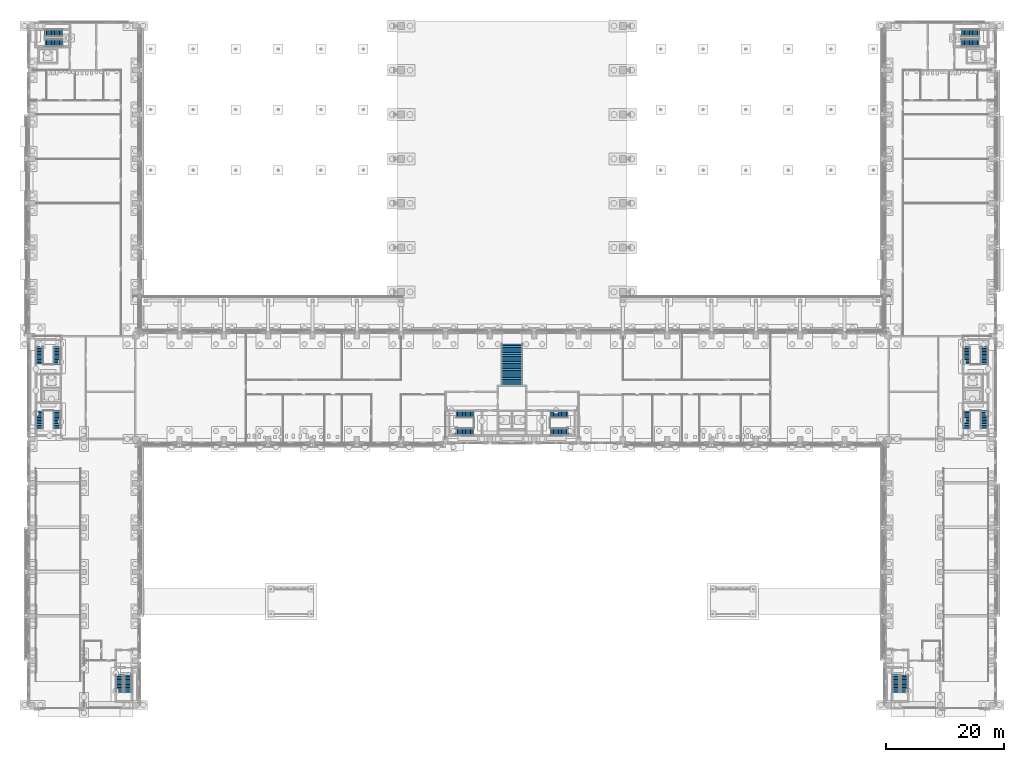
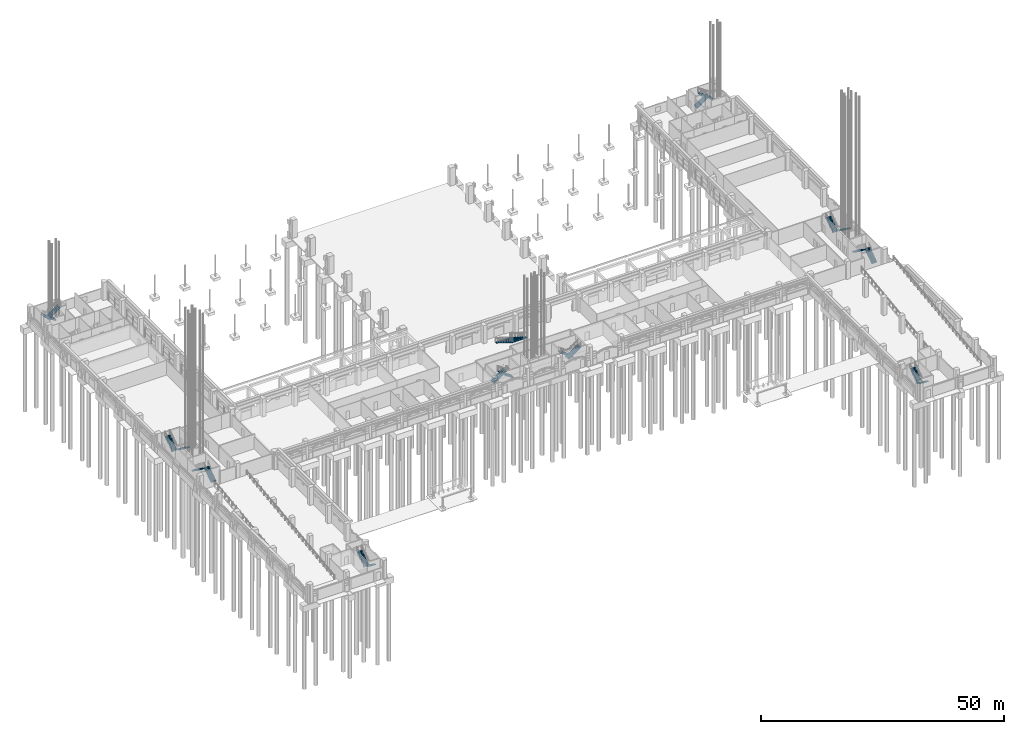
# One storey, part 46 of 99: 21 stair flights, 11 elements without a shape of their own.
"""IFC4 building model written with IfcOpenShell, lengths in metres."""

from ifc_helpers import new_model, si_unit, direction, frame, origin, place, context, subcontext, project, spatial, polyline, outline, extrude, material, type_object, element, aggregate, save


model = new_model("IFC4")

# Units and contexts
model_context = context("Model", 3, precision=1e-05, world=origin(), true_north=direction((0.0, 1.0)))
body_context = subcontext(model_context, "Body", "Model", "MODEL_VIEW")
ifc_project = project(units=[si_unit("LENGTHUNIT", "METRE"), si_unit("AREAUNIT", "SQUARE_METRE"), si_unit("VOLUMEUNIT", "CUBIC_METRE"), si_unit("PLANEANGLEUNIT", "RADIAN"), si_unit("MASSUNIT", "GRAM", prefix="KILO")], contexts=[model_context])

# Site, building, storey
site_placement = place(None, origin())
site = spatial("IfcSite", under=ifc_project, at=site_placement, CompositionType="ELEMENT")
building_placement = place(site_placement, origin())
building = spatial("IfcBuilding", under=site, at=building_placement, Name="Cour d'Honneur Mobility Palace", CompositionType="ELEMENT")
storey_placement = place(building_placement, origin())
storey = spatial("IfcBuildingStorey", under=building, at=storey_placement, Name="L00", CompositionType="ELEMENT", Elevation=0.0)

# Stair, stair flight
ifc_material_1 = material(Name="Concrete C50", Category="concrete")
stair_type_1 = type_object("IfcStairType", Name="Grand stair", PredefinedType="STRAIGHT_RUN_STAIR", material=ifc_material_1)
stair_1_placement = place(storey_placement, origin())
stair_1 = element("IfcStair", 1, at=stair_1_placement, inside=storey, type_object=stair_type_1, Name="Grand stair", PredefinedType="STRAIGHT_RUN_STAIR")
ifc_material_2 = material(Name="Concrete C50", Category="concrete")
stair_flight_type_1 = type_object("IfcStairFlightType", Name="Grand stair flight", PredefinedType="STRAIGHT", material=ifc_material_2)
stair_flight_1_placement = place(storey_placement, frame((81.14990234375, 61.10009765625, 0.0), z_axis=(0.0, 0.0, 1.0), x_axis=(0.0, -1.0, 0.0)))
stair_flight_1 = element("IfcStairFlight", 2, at=stair_flight_1_placement, type_object=stair_flight_type_1, Name="ST-GS flight 1", NumberOfRisers=24, NumberOfTreads=23, PredefinedType="STRAIGHT", RiserHeight=0.1875, TreadLength=0.3, context=body_context, shape_type="SweptSolid", body=[
    extrude(outline(polyline([(0.0, 0.0), (0.0, 0.1875), (0.300048828125, 0.1875), (0.300048828125, 0.375), (0.60009765625, 0.375), (0.60009765625, 0.5625), (0.89990234375, 0.5625), (0.89990234375, 0.75), (1.199951171875, 0.75), (1.199951171875, 0.9375), (1.5, 0.9375), (1.5, 1.125), (1.800048828125, 1.125), (1.800048828125, 1.3125), (2.10009765625, 1.3125), (2.10009765625, 1.5), (2.39990234375, 1.5), (2.39990234375, 1.6875), (2.699951171875, 1.6875), (2.699951171875, 1.875), (3.0, 1.875), (3.0, 2.0625), (3.300048828125, 2.0625), (3.300048828125, 2.25), (3.60009765625, 2.25), (3.60009765625, 2.4375), (3.89990234375, 2.4375), (3.89990234375, 2.625), (4.199951171875, 2.625), (4.199951171875, 2.8125), (4.5, 2.8125), (4.5, 3.0), (4.800048828125, 3.0), (4.800048828125, 3.1875), (5.10009765625, 3.1875), (5.10009765625, 3.375), (5.39990234375, 3.375), (5.39990234375, 3.5625), (5.699951171875, 3.5625), (5.699951171875, 3.75), (6.0, 3.75), (6.0, 3.9375), (6.300048828125, 3.9375), (6.300048828125, 4.125), (6.60009765625, 4.125), (6.60009765625, 4.3125), (6.89990234375, 4.3125), (6.949951171875, 4.3125), (6.949951171875, 4.1357421875), (0.28271484375, 0.0), (0.0, 0.0)])), frame((0.0, 1.800048828125, 0.0), z_axis=(0.0, -1.0, 0.0), x_axis=(1.0, 0.0, 0.0)), (0.0, 0.0, 1.0), 3.60009765625),
])
aggregate(stair_1, [stair_flight_1])

# Stair, stair flights
ifc_material_3 = material(Name="Concrete C50", Category="concrete")
stair_type_2 = type_object("IfcStairType", Name="Stair 24 risers", PredefinedType="HALF_TURN_STAIR", material=ifc_material_3)
stair_2_placement = place(storey_placement, origin())
stair_2 = element("IfcStair", 3, at=stair_2_placement, inside=storey, type_object=stair_type_2, Name="Stair ST-CW1", PredefinedType="HALF_TURN_STAIR")
ifc_material_4 = material(Name="Concrete C50", Category="concrete")
stair_flight_type_2 = type_object("IfcStairFlightType", Name="Stair flight 1250", PredefinedType="STRAIGHT", material=ifc_material_4)
stair_flight_2_placement = place(storey_placement, frame((4.175048828125, 46.77490234375, 0.0), z_axis=(0.0, 0.0, 1.0), x_axis=(0.0, 1.0, 0.0)))
stair_flight_2 = element("IfcStairFlight", 4, at=stair_flight_2_placement, type_object=stair_flight_type_2, Name="ST-CW1 flight 1", NumberOfRisers=12, NumberOfTreads=11, PredefinedType="STRAIGHT", RiserHeight=0.1875, TreadLength=0.27, context=body_context, shape_type="SweptSolid", body=[
    extrude(outline(polyline([(0.0, 0.0), (0.0, 0.1875), (0.27001953125, 0.1875), (0.27001953125, 0.375), (0.5400390625, 0.375), (0.5400390625, 0.5625), (0.81005859375, 0.5625), (0.81005859375, 0.75), (1.080078125, 0.75), (1.080078125, 0.9375), (1.35009765625, 0.9375), (1.35009765625, 1.125), (1.6201171875, 1.125), (1.6201171875, 1.3125), (1.889892578125, 1.3125), (1.889892578125, 1.5), (2.159912109375, 1.5), (2.159912109375, 1.6875), (2.429931640625, 1.6875), (2.429931640625, 1.875), (2.699951171875, 1.875), (2.699951171875, 2.0625), (2.969970703125, 2.0625), (3.02001953125, 2.0625), (3.02001953125, 1.8798828125), (0.2626953125, 0.0), (0.0, 0.0)])), frame((0.0, 0.625, 0.0), z_axis=(0.0, -1.0, 0.0), x_axis=(1.0, 0.0, 0.0)), (0.0, 0.0, 1.0), 1.25),
])
stair_flight_3_placement = place(storey_placement, frame((1.199951171875, 49.7451171875, 2.25), z_axis=(0.0, 0.0, 1.0), x_axis=(0.0, -1.0, 0.0)))
stair_flight_3 = element("IfcStairFlight", 5, at=stair_flight_3_placement, type_object=stair_flight_type_2, Name="ST-CW1 flight 2", NumberOfRisers=12, NumberOfTreads=11, PredefinedType="STRAIGHT", RiserHeight=0.1875, TreadLength=0.27, context=body_context, shape_type="SweptSolid", body=[
    extrude(outline(polyline([(0.0, 0.0), (0.0, 0.1875), (0.27001953125, 0.1875), (0.27001953125, 0.375), (0.5400390625, 0.375), (0.5400390625, 0.5625), (0.81005859375, 0.5625), (0.81005859375, 0.75), (1.080078125, 0.75), (1.080078125, 0.9375), (1.35009765625, 0.9375), (1.35009765625, 1.125), (1.6201171875, 1.125), (1.6201171875, 1.3125), (1.889892578125, 1.3125), (1.889892578125, 1.5), (2.159912109375, 1.5), (2.159912109375, 1.6875), (2.429931640625, 1.6875), (2.429931640625, 1.875), (2.699951171875, 1.875), (2.699951171875, 2.0625), (2.969970703125, 2.0625), (3.02001953125, 2.0625), (3.02001953125, 1.8798828125), (0.2626953125, 0.0), (0.0, 0.0)])), frame((0.0, 0.625, 0.0), z_axis=(0.0, -1.0, 0.0), x_axis=(1.0, 0.0, 0.0)), (0.0, 0.0, 1.0), 1.25),
])
aggregate(stair_2, [stair_flight_2, stair_flight_3])

stair_3_placement = place(storey_placement, origin())
stair_3 = element("IfcStair", 6, at=stair_3_placement, inside=storey, type_object=stair_type_2, Name="Stair ST-CW2", PredefinedType="HALF_TURN_STAIR")
stair_flight_4_placement = place(storey_placement, frame((4.175048828125, 60.625, 0.0), z_axis=(0.0, 0.0, 1.0), x_axis=(0.0, -1.0, 0.0)))
stair_flight_4 = element("IfcStairFlight", 7, at=stair_flight_4_placement, type_object=stair_flight_type_2, Name="ST-CW2 flight 1", NumberOfRisers=12, NumberOfTreads=11, PredefinedType="STRAIGHT", RiserHeight=0.1875, TreadLength=0.27, context=body_context, shape_type="SweptSolid", body=[
    extrude(outline(polyline([(0.0, 0.0), (0.0, 0.1875), (0.27001953125, 0.1875), (0.27001953125, 0.375), (0.5400390625, 0.375), (0.5400390625, 0.5625), (0.81005859375, 0.5625), (0.81005859375, 0.75), (1.080078125, 0.75), (1.080078125, 0.9375), (1.35009765625, 0.9375), (1.35009765625, 1.125), (1.6201171875, 1.125), (1.6201171875, 1.3125), (1.889892578125, 1.3125), (1.889892578125, 1.5), (2.159912109375, 1.5), (2.159912109375, 1.6875), (2.429931640625, 1.6875), (2.429931640625, 1.875), (2.699951171875, 1.875), (2.699951171875, 2.0625), (2.969970703125, 2.0625), (3.02001953125, 2.0625), (3.02001953125, 1.8798828125), (0.2626953125, 0.0), (0.0, 0.0)])), frame((0.0, 0.625, 0.0), z_axis=(0.0, -1.0, 0.0), x_axis=(1.0, 0.0, 0.0)), (0.0, 0.0, 1.0), 1.25),
])
stair_flight_5_placement = place(storey_placement, frame((1.199951171875, 57.655029296875, 2.25), z_axis=(0.0, 0.0, 1.0), x_axis=(0.0, 1.0, 0.0)))
stair_flight_5 = element("IfcStairFlight", 8, at=stair_flight_5_placement, type_object=stair_flight_type_2, Name="ST-CW2 flight 2", NumberOfRisers=12, NumberOfTreads=11, PredefinedType="STRAIGHT", RiserHeight=0.1875, TreadLength=0.27, context=body_context, shape_type="SweptSolid", body=[
    extrude(outline(polyline([(0.0, 0.0), (0.0, 0.1875), (0.27001953125, 0.1875), (0.27001953125, 0.375), (0.5400390625, 0.375), (0.5400390625, 0.5625), (0.81005859375, 0.5625), (0.81005859375, 0.75), (1.080078125, 0.75), (1.080078125, 0.9375), (1.35009765625, 0.9375), (1.35009765625, 1.125), (1.6201171875, 1.125), (1.6201171875, 1.3125), (1.889892578125, 1.3125), (1.889892578125, 1.5), (2.159912109375, 1.5), (2.159912109375, 1.6875), (2.429931640625, 1.6875), (2.429931640625, 1.875), (2.699951171875, 1.875), (2.699951171875, 2.0625), (2.969970703125, 2.0625), (3.02001953125, 2.0625), (3.02001953125, 1.8798828125), (0.2626953125, 0.0), (0.0, 0.0)])), frame((0.0, 0.625, 0.0), z_axis=(0.0, -1.0, 0.0), x_axis=(1.0, 0.0, 0.0)), (0.0, 0.0, 1.0), 1.25),
])
aggregate(stair_3, [stair_flight_4, stair_flight_5])

stair_4_placement = place(storey_placement, origin())
stair_4 = element("IfcStair", 9, at=stair_4_placement, inside=storey, type_object=stair_type_2, Name="Stair ST-CE1", PredefinedType="HALF_TURN_STAIR")
stair_flight_6_placement = place(storey_placement, frame((161.10009765625, 46.77490234375, 0.0), z_axis=(0.0, 0.0, 1.0), x_axis=(0.0, 1.0, 0.0)))
stair_flight_6 = element("IfcStairFlight", 10, at=stair_flight_6_placement, type_object=stair_flight_type_2, Name="ST-CE1 flight 1", NumberOfRisers=12, NumberOfTreads=11, PredefinedType="STRAIGHT", RiserHeight=0.1875, TreadLength=0.27, context=body_context, shape_type="SweptSolid", body=[
    extrude(outline(polyline([(0.0, 0.0), (0.0, 0.1875), (0.27001953125, 0.1875), (0.27001953125, 0.375), (0.5400390625, 0.375), (0.5400390625, 0.5625), (0.81005859375, 0.5625), (0.81005859375, 0.75), (1.080078125, 0.75), (1.080078125, 0.9375), (1.35009765625, 0.9375), (1.35009765625, 1.125), (1.6201171875, 1.125), (1.6201171875, 1.3125), (1.889892578125, 1.3125), (1.889892578125, 1.5), (2.159912109375, 1.5), (2.159912109375, 1.6875), (2.429931640625, 1.6875), (2.429931640625, 1.875), (2.699951171875, 1.875), (2.699951171875, 2.0625), (2.969970703125, 2.0625), (3.02001953125, 2.0625), (3.02001953125, 1.8798828125), (0.2626953125, 0.0), (0.0, 0.0)])), frame((0.0, 0.625, 0.0), z_axis=(0.0, -1.0, 0.0), x_axis=(1.0, 0.0, 0.0)), (0.0, 0.0, 1.0), 1.25),
])
stair_flight_7_placement = place(storey_placement, frame((158.125, 49.7451171875, 2.25), z_axis=(0.0, 0.0, 1.0), x_axis=(0.0, -1.0, 0.0)))
stair_flight_7 = element("IfcStairFlight", 11, at=stair_flight_7_placement, type_object=stair_flight_type_2, Name="ST-CE1 flight 2", NumberOfRisers=12, NumberOfTreads=11, PredefinedType="STRAIGHT", RiserHeight=0.1875, TreadLength=0.27, context=body_context, shape_type="SweptSolid", body=[
    extrude(outline(polyline([(0.0, 0.0), (0.0, 0.1875), (0.27001953125, 0.1875), (0.27001953125, 0.375), (0.5400390625, 0.375), (0.5400390625, 0.5625), (0.81005859375, 0.5625), (0.81005859375, 0.75), (1.080078125, 0.75), (1.080078125, 0.9375), (1.35009765625, 0.9375), (1.35009765625, 1.125), (1.6201171875, 1.125), (1.6201171875, 1.3125), (1.889892578125, 1.3125), (1.889892578125, 1.5), (2.159912109375, 1.5), (2.159912109375, 1.6875), (2.429931640625, 1.6875), (2.429931640625, 1.875), (2.699951171875, 1.875), (2.699951171875, 2.0625), (2.969970703125, 2.0625), (3.02001953125, 2.0625), (3.02001953125, 1.8798828125), (0.2626953125, 0.0), (0.0, 0.0)])), frame((0.0, 0.625, 0.0), z_axis=(0.0, -1.0, 0.0), x_axis=(1.0, 0.0, 0.0)), (0.0, 0.0, 1.0), 1.25),
])
aggregate(stair_4, [stair_flight_6, stair_flight_7])

stair_5_placement = place(storey_placement, origin())
stair_5 = element("IfcStair", 12, at=stair_5_placement, inside=storey, type_object=stair_type_2, Name="Stair ST-CE2", PredefinedType="HALF_TURN_STAIR")
stair_flight_8_placement = place(storey_placement, frame((161.10009765625, 60.625, 0.0), z_axis=(0.0, 0.0, 1.0), x_axis=(0.0, -1.0, 0.0)))
stair_flight_8 = element("IfcStairFlight", 13, at=stair_flight_8_placement, type_object=stair_flight_type_2, Name="ST-CE2 flight 1", NumberOfRisers=12, NumberOfTreads=11, PredefinedType="STRAIGHT", RiserHeight=0.1875, TreadLength=0.27, context=body_context, shape_type="SweptSolid", body=[
    extrude(outline(polyline([(0.0, 0.0), (0.0, 0.1875), (0.27001953125, 0.1875), (0.27001953125, 0.375), (0.5400390625, 0.375), (0.5400390625, 0.5625), (0.81005859375, 0.5625), (0.81005859375, 0.75), (1.080078125, 0.75), (1.080078125, 0.9375), (1.35009765625, 0.9375), (1.35009765625, 1.125), (1.6201171875, 1.125), (1.6201171875, 1.3125), (1.889892578125, 1.3125), (1.889892578125, 1.5), (2.159912109375, 1.5), (2.159912109375, 1.6875), (2.429931640625, 1.6875), (2.429931640625, 1.875), (2.699951171875, 1.875), (2.699951171875, 2.0625), (2.969970703125, 2.0625), (3.02001953125, 2.0625), (3.02001953125, 1.8798828125), (0.2626953125, 0.0), (0.0, 0.0)])), frame((0.0, 0.625, 0.0), z_axis=(0.0, -1.0, 0.0), x_axis=(1.0, 0.0, 0.0)), (0.0, 0.0, 1.0), 1.25),
])
stair_flight_9_placement = place(storey_placement, frame((158.125, 57.655029296875, 2.25), z_axis=(0.0, 0.0, 1.0), x_axis=(0.0, 1.0, 0.0)))
stair_flight_9 = element("IfcStairFlight", 14, at=stair_flight_9_placement, type_object=stair_flight_type_2, Name="ST-CE2 flight 2", NumberOfRisers=12, NumberOfTreads=11, PredefinedType="STRAIGHT", RiserHeight=0.1875, TreadLength=0.27, context=body_context, shape_type="SweptSolid", body=[
    extrude(outline(polyline([(0.0, 0.0), (0.0, 0.1875), (0.27001953125, 0.1875), (0.27001953125, 0.375), (0.5400390625, 0.375), (0.5400390625, 0.5625), (0.81005859375, 0.5625), (0.81005859375, 0.75), (1.080078125, 0.75), (1.080078125, 0.9375), (1.35009765625, 0.9375), (1.35009765625, 1.125), (1.6201171875, 1.125), (1.6201171875, 1.3125), (1.889892578125, 1.3125), (1.889892578125, 1.5), (2.159912109375, 1.5), (2.159912109375, 1.6875), (2.429931640625, 1.6875), (2.429931640625, 1.875), (2.699951171875, 1.875), (2.699951171875, 2.0625), (2.969970703125, 2.0625), (3.02001953125, 2.0625), (3.02001953125, 1.8798828125), (0.2626953125, 0.0), (0.0, 0.0)])), frame((0.0, 0.625, 0.0), z_axis=(0.0, -1.0, 0.0), x_axis=(1.0, 0.0, 0.0)), (0.0, 0.0, 1.0), 1.25),
])
aggregate(stair_5, [stair_flight_8, stair_flight_9])

stair_6_placement = place(storey_placement, origin())
stair_6 = element("IfcStair", 15, at=stair_6_placement, inside=storey, type_object=stair_type_2, Name="Stair ST-CC1", PredefinedType="HALF_TURN_STAIR")
stair_flight_10_placement = place(storey_placement, frame((71.675048828125, 49.175048828125, 0.0), z_axis=(0.0, 0.0, 1.0), x_axis=(1.0, 0.0, 0.0)))
stair_flight_10 = element("IfcStairFlight", 16, at=stair_flight_10_placement, type_object=stair_flight_type_2, Name="ST-CC1 flight 1", NumberOfRisers=12, NumberOfTreads=11, PredefinedType="STRAIGHT", RiserHeight=0.1875, TreadLength=0.27, context=body_context, shape_type="SweptSolid", body=[
    extrude(outline(polyline([(0.0, 0.0), (0.0, 0.1875), (0.27001953125, 0.1875), (0.27001953125, 0.375), (0.5400390625, 0.375), (0.5400390625, 0.5625), (0.81005859375, 0.5625), (0.81005859375, 0.75), (1.080078125, 0.75), (1.080078125, 0.9375), (1.35009765625, 0.9375), (1.35009765625, 1.125), (1.6201171875, 1.125), (1.6201171875, 1.3125), (1.889892578125, 1.3125), (1.889892578125, 1.5), (2.159912109375, 1.5), (2.159912109375, 1.6875), (2.429931640625, 1.6875), (2.429931640625, 1.875), (2.699951171875, 1.875), (2.699951171875, 2.0625), (2.969970703125, 2.0625), (3.02001953125, 2.0625), (3.02001953125, 1.8798828125), (0.2626953125, 0.0), (0.0, 0.0)])), frame((0.0, 0.625, 0.0), z_axis=(0.0, -1.0, 0.0), x_axis=(1.0, 0.0, 0.0)), (0.0, 0.0, 1.0), 1.25),
])
stair_flight_11_placement = place(storey_placement, frame((74.64501953125, 46.199951171875, 2.25), z_axis=(0.0, 0.0, 1.0), x_axis=(-1.0, 0.0, 0.0)))
stair_flight_11 = element("IfcStairFlight", 17, at=stair_flight_11_placement, type_object=stair_flight_type_2, Name="ST-CC1 flight 2", NumberOfRisers=12, NumberOfTreads=11, PredefinedType="STRAIGHT", RiserHeight=0.1875, TreadLength=0.27, context=body_context, shape_type="SweptSolid", body=[
    extrude(outline(polyline([(0.0, 0.0), (0.0, 0.1875), (0.27001953125, 0.1875), (0.27001953125, 0.375), (0.5400390625, 0.375), (0.5400390625, 0.5625), (0.81005859375, 0.5625), (0.81005859375, 0.75), (1.080078125, 0.75), (1.080078125, 0.9375), (1.35009765625, 0.9375), (1.35009765625, 1.125), (1.6201171875, 1.125), (1.6201171875, 1.3125), (1.889892578125, 1.3125), (1.889892578125, 1.5), (2.159912109375, 1.5), (2.159912109375, 1.6875), (2.429931640625, 1.6875), (2.429931640625, 1.875), (2.699951171875, 1.875), (2.699951171875, 2.0625), (2.969970703125, 2.0625), (3.02001953125, 2.0625), (3.02001953125, 1.8798828125), (0.2626953125, 0.0), (0.0, 0.0)])), frame((0.0, 0.625, 0.0), z_axis=(0.0, -1.0, 0.0), x_axis=(1.0, 0.0, 0.0)), (0.0, 0.0, 1.0), 1.25),
])
aggregate(stair_6, [stair_flight_10, stair_flight_11])

stair_7_placement = place(storey_placement, origin())
stair_7 = element("IfcStair", 18, at=stair_7_placement, inside=storey, type_object=stair_type_2, Name="Stair ST-CC2", PredefinedType="HALF_TURN_STAIR")
stair_flight_12_placement = place(storey_placement, frame((90.625, 49.175048828125, 0.0), z_axis=(0.0, 0.0, 1.0), x_axis=(-1.0, 0.0, 0.0)))
stair_flight_12 = element("IfcStairFlight", 19, at=stair_flight_12_placement, type_object=stair_flight_type_2, Name="ST-CC2 flight 1", NumberOfRisers=12, NumberOfTreads=11, PredefinedType="STRAIGHT", RiserHeight=0.1875, TreadLength=0.27, context=body_context, shape_type="SweptSolid", body=[
    extrude(outline(polyline([(0.0, 0.0), (0.0, 0.1875), (0.27001953125, 0.1875), (0.27001953125, 0.375), (0.5400390625, 0.375), (0.5400390625, 0.5625), (0.81005859375, 0.5625), (0.81005859375, 0.75), (1.080078125, 0.75), (1.080078125, 0.9375), (1.35009765625, 0.9375), (1.35009765625, 1.125), (1.6201171875, 1.125), (1.6201171875, 1.3125), (1.889892578125, 1.3125), (1.889892578125, 1.5), (2.159912109375, 1.5), (2.159912109375, 1.6875), (2.429931640625, 1.6875), (2.429931640625, 1.875), (2.699951171875, 1.875), (2.699951171875, 2.0625), (2.969970703125, 2.0625), (3.02001953125, 2.0625), (3.02001953125, 1.8798828125), (0.2626953125, 0.0), (0.0, 0.0)])), frame((0.0, 0.625, 0.0), z_axis=(0.0, -1.0, 0.0), x_axis=(1.0, 0.0, 0.0)), (0.0, 0.0, 1.0), 1.25),
])
stair_flight_13_placement = place(storey_placement, frame((87.655029296875, 46.199951171875, 2.25), z_axis=(0.0, 0.0, 1.0), x_axis=(1.0, 0.0, 0.0)))
stair_flight_13 = element("IfcStairFlight", 20, at=stair_flight_13_placement, type_object=stair_flight_type_2, Name="ST-CC2 flight 2", NumberOfRisers=12, NumberOfTreads=11, PredefinedType="STRAIGHT", RiserHeight=0.1875, TreadLength=0.27, context=body_context, shape_type="SweptSolid", body=[
    extrude(outline(polyline([(0.0, 0.0), (0.0, 0.1875), (0.27001953125, 0.1875), (0.27001953125, 0.375), (0.5400390625, 0.375), (0.5400390625, 0.5625), (0.81005859375, 0.5625), (0.81005859375, 0.75), (1.080078125, 0.75), (1.080078125, 0.9375), (1.35009765625, 0.9375), (1.35009765625, 1.125), (1.6201171875, 1.125), (1.6201171875, 1.3125), (1.889892578125, 1.3125), (1.889892578125, 1.5), (2.159912109375, 1.5), (2.159912109375, 1.6875), (2.429931640625, 1.6875), (2.429931640625, 1.875), (2.699951171875, 1.875), (2.699951171875, 2.0625), (2.969970703125, 2.0625), (3.02001953125, 2.0625), (3.02001953125, 1.8798828125), (0.2626953125, 0.0), (0.0, 0.0)])), frame((0.0, 0.625, 0.0), z_axis=(0.0, -1.0, 0.0), x_axis=(1.0, 0.0, 0.0)), (0.0, 0.0, 1.0), 1.25),
])
aggregate(stair_7, [stair_flight_12, stair_flight_13])

stair_8_placement = place(storey_placement, origin())
stair_8 = element("IfcStair", 21, at=stair_8_placement, inside=storey, type_object=stair_type_2, Name="Stair ST-NW1", PredefinedType="HALF_TURN_STAIR")
stair_flight_14_placement = place(storey_placement, frame((5.10009765625, 113.699951171875, 0.0), z_axis=(0.0, 0.0, 1.0), x_axis=(-1.0, 0.0, 0.0)))
stair_flight_14 = element("IfcStairFlight", 22, at=stair_flight_14_placement, type_object=stair_flight_type_2, Name="ST-NW1 flight 1", NumberOfRisers=12, NumberOfTreads=11, PredefinedType="STRAIGHT", RiserHeight=0.1875, TreadLength=0.27, context=body_context, shape_type="SweptSolid", body=[
    extrude(outline(polyline([(0.0, 0.0), (0.0, 0.1875), (0.27001953125, 0.1875), (0.27001953125, 0.375), (0.5400390625, 0.375), (0.5400390625, 0.5625), (0.81005859375, 0.5625), (0.81005859375, 0.75), (1.080078125, 0.75), (1.080078125, 0.9375), (1.35009765625, 0.9375), (1.35009765625, 1.125), (1.6201171875, 1.125), (1.6201171875, 1.3125), (1.889892578125, 1.3125), (1.889892578125, 1.5), (2.159912109375, 1.5), (2.159912109375, 1.6875), (2.429931640625, 1.6875), (2.429931640625, 1.875), (2.699951171875, 1.875), (2.699951171875, 2.0625), (2.969970703125, 2.0625), (3.02001953125, 2.0625), (3.02001953125, 1.8798828125), (0.2626953125, 0.0), (0.0, 0.0)])), frame((0.0, 0.625, 0.0), z_axis=(0.0, -1.0, 0.0), x_axis=(1.0, 0.0, 0.0)), (0.0, 0.0, 1.0), 1.25),
])
stair_flight_15_placement = place(storey_placement, frame((2.1298828125, 112.02490234375, 2.25), z_axis=(0.0, 0.0, 1.0), x_axis=(1.0, 0.0, 0.0)))
stair_flight_15 = element("IfcStairFlight", 23, at=stair_flight_15_placement, type_object=stair_flight_type_2, Name="ST-NW1 flight 2", NumberOfRisers=12, NumberOfTreads=11, PredefinedType="STRAIGHT", RiserHeight=0.1875, TreadLength=0.27, context=body_context, shape_type="SweptSolid", body=[
    extrude(outline(polyline([(0.0, 0.0), (0.0, 0.1875), (0.27001953125, 0.1875), (0.27001953125, 0.375), (0.5400390625, 0.375), (0.5400390625, 0.5625), (0.81005859375, 0.5625), (0.81005859375, 0.75), (1.080078125, 0.75), (1.080078125, 0.9375), (1.35009765625, 0.9375), (1.35009765625, 1.125), (1.6201171875, 1.125), (1.6201171875, 1.3125), (1.889892578125, 1.3125), (1.889892578125, 1.5), (2.159912109375, 1.5), (2.159912109375, 1.6875), (2.429931640625, 1.6875), (2.429931640625, 1.875), (2.699951171875, 1.875), (2.699951171875, 2.0625), (2.969970703125, 2.0625), (3.02001953125, 2.0625), (3.02001953125, 1.8798828125), (0.2626953125, 0.0), (0.0, 0.0)])), frame((0.0, 0.625, 0.0), z_axis=(0.0, -1.0, 0.0), x_axis=(1.0, 0.0, 0.0)), (0.0, 0.0, 1.0), 1.25),
])
aggregate(stair_8, [stair_flight_14, stair_flight_15])

stair_9_placement = place(storey_placement, origin())
stair_9 = element("IfcStair", 24, at=stair_9_placement, inside=storey, type_object=stair_type_2, Name="Stair ST-NE1", PredefinedType="HALF_TURN_STAIR")
stair_flight_16_placement = place(storey_placement, frame((157.199951171875, 113.699951171875, 0.0), z_axis=(0.0, 0.0, 1.0), x_axis=(1.0, 0.0, 0.0)))
stair_flight_16 = element("IfcStairFlight", 25, at=stair_flight_16_placement, type_object=stair_flight_type_2, Name="ST-NE1 flight 1", NumberOfRisers=12, NumberOfTreads=11, PredefinedType="STRAIGHT", RiserHeight=0.1875, TreadLength=0.27, context=body_context, shape_type="SweptSolid", body=[
    extrude(outline(polyline([(0.0, 0.0), (0.0, 0.1875), (0.27001953125, 0.1875), (0.27001953125, 0.375), (0.5400390625, 0.375), (0.5400390625, 0.5625), (0.81005859375, 0.5625), (0.81005859375, 0.75), (1.080078125, 0.75), (1.080078125, 0.9375), (1.35009765625, 0.9375), (1.35009765625, 1.125), (1.6201171875, 1.125), (1.6201171875, 1.3125), (1.889892578125, 1.3125), (1.889892578125, 1.5), (2.159912109375, 1.5), (2.159912109375, 1.6875), (2.429931640625, 1.6875), (2.429931640625, 1.875), (2.699951171875, 1.875), (2.699951171875, 2.0625), (2.969970703125, 2.0625), (3.02001953125, 2.0625), (3.02001953125, 1.8798828125), (0.2626953125, 0.0), (0.0, 0.0)])), frame((0.0, 0.625, 0.0), z_axis=(0.0, -1.0, 0.0), x_axis=(1.0, 0.0, 0.0)), (0.0, 0.0, 1.0), 1.25),
])
stair_flight_17_placement = place(storey_placement, frame((160.169921875, 112.02490234375, 2.25), z_axis=(0.0, 0.0, 1.0), x_axis=(-1.0, 0.0, 0.0)))
stair_flight_17 = element("IfcStairFlight", 26, at=stair_flight_17_placement, type_object=stair_flight_type_2, Name="ST-NE1 flight 2", NumberOfRisers=12, NumberOfTreads=11, PredefinedType="STRAIGHT", RiserHeight=0.1875, TreadLength=0.27, context=body_context, shape_type="SweptSolid", body=[
    extrude(outline(polyline([(0.0, 0.0), (0.0, 0.1875), (0.27001953125, 0.1875), (0.27001953125, 0.375), (0.5400390625, 0.375), (0.5400390625, 0.5625), (0.81005859375, 0.5625), (0.81005859375, 0.75), (1.080078125, 0.75), (1.080078125, 0.9375), (1.35009765625, 0.9375), (1.35009765625, 1.125), (1.6201171875, 1.125), (1.6201171875, 1.3125), (1.889892578125, 1.3125), (1.889892578125, 1.5), (2.159912109375, 1.5), (2.159912109375, 1.6875), (2.429931640625, 1.6875), (2.429931640625, 1.875), (2.699951171875, 1.875), (2.699951171875, 2.0625), (2.969970703125, 2.0625), (3.02001953125, 2.0625), (3.02001953125, 1.8798828125), (0.2626953125, 0.0), (0.0, 0.0)])), frame((0.0, 0.625, 0.0), z_axis=(0.0, -1.0, 0.0), x_axis=(1.0, 0.0, 0.0)), (0.0, 0.0, 1.0), 1.25),
])
aggregate(stair_9, [stair_flight_16, stair_flight_17])

stair_10_placement = place(storey_placement, origin())
stair_10 = element("IfcStair", 27, at=stair_10_placement, inside=storey, type_object=stair_type_2, Name="Stair ST-RW1", PredefinedType="HALF_TURN_STAIR")
stair_flight_18_placement = place(storey_placement, frame((16.199951171875, 5.10009765625, 0.0), z_axis=(0.0, 0.0, 1.0), x_axis=(0.0, -1.0, 0.0)))
stair_flight_18 = element("IfcStairFlight", 28, at=stair_flight_18_placement, type_object=stair_flight_type_2, Name="ST-RW1 flight 1", NumberOfRisers=12, NumberOfTreads=11, PredefinedType="STRAIGHT", RiserHeight=0.1875, TreadLength=0.27, context=body_context, shape_type="SweptSolid", body=[
    extrude(outline(polyline([(0.0, 0.0), (0.0, 0.1875), (0.27001953125, 0.1875), (0.27001953125, 0.375), (0.5400390625, 0.375), (0.5400390625, 0.5625), (0.81005859375, 0.5625), (0.81005859375, 0.75), (1.080078125, 0.75), (1.080078125, 0.9375), (1.35009765625, 0.9375), (1.35009765625, 1.125), (1.6201171875, 1.125), (1.6201171875, 1.3125), (1.889892578125, 1.3125), (1.889892578125, 1.5), (2.159912109375, 1.5), (2.159912109375, 1.6875), (2.429931640625, 1.6875), (2.429931640625, 1.875), (2.699951171875, 1.875), (2.699951171875, 2.0625), (2.969970703125, 2.0625), (3.02001953125, 2.0625), (3.02001953125, 1.8798828125), (0.2626953125, 0.0), (0.0, 0.0)])), frame((0.0, 0.625, 0.0), z_axis=(0.0, -1.0, 0.0), x_axis=(1.0, 0.0, 0.0)), (0.0, 0.0, 1.0), 1.25),
])
stair_flight_19_placement = place(storey_placement, frame((14.72509765625, 2.1298828125, 2.25), z_axis=(0.0, 0.0, 1.0), x_axis=(0.0, 1.0, 0.0)))
stair_flight_19 = element("IfcStairFlight", 29, at=stair_flight_19_placement, type_object=stair_flight_type_2, Name="ST-RW1 flight 2", NumberOfRisers=12, NumberOfTreads=11, PredefinedType="STRAIGHT", RiserHeight=0.1875, TreadLength=0.27, context=body_context, shape_type="SweptSolid", body=[
    extrude(outline(polyline([(0.0, 0.0), (0.0, 0.1875), (0.27001953125, 0.1875), (0.27001953125, 0.375), (0.5400390625, 0.375), (0.5400390625, 0.5625), (0.81005859375, 0.5625), (0.81005859375, 0.75), (1.080078125, 0.75), (1.080078125, 0.9375), (1.35009765625, 0.9375), (1.35009765625, 1.125), (1.6201171875, 1.125), (1.6201171875, 1.3125), (1.889892578125, 1.3125), (1.889892578125, 1.5), (2.159912109375, 1.5), (2.159912109375, 1.6875), (2.429931640625, 1.6875), (2.429931640625, 1.875), (2.699951171875, 1.875), (2.699951171875, 2.0625), (2.969970703125, 2.0625), (3.02001953125, 2.0625), (3.02001953125, 1.8798828125), (0.2626953125, 0.0), (0.0, 0.0)])), frame((0.0, 0.625, 0.0), z_axis=(0.0, -1.0, 0.0), x_axis=(1.0, 0.0, 0.0)), (0.0, 0.0, 1.0), 1.25),
])
aggregate(stair_10, [stair_flight_18, stair_flight_19])

stair_11_placement = place(storey_placement, origin())
stair_11 = element("IfcStair", 30, at=stair_11_placement, inside=storey, type_object=stair_type_2, Name="Stair ST-RE1", PredefinedType="HALF_TURN_STAIR")
stair_flight_20_placement = place(storey_placement, frame((147.574951171875, 5.10009765625, 0.0), z_axis=(0.0, 0.0, 1.0), x_axis=(0.0, -1.0, 0.0)))
stair_flight_20 = element("IfcStairFlight", 31, at=stair_flight_20_placement, type_object=stair_flight_type_2, Name="ST-RE1 flight 1", NumberOfRisers=12, NumberOfTreads=11, PredefinedType="STRAIGHT", RiserHeight=0.1875, TreadLength=0.27, context=body_context, shape_type="SweptSolid", body=[
    extrude(outline(polyline([(0.0, 0.0), (0.0, 0.1875), (0.27001953125, 0.1875), (0.27001953125, 0.375), (0.5400390625, 0.375), (0.5400390625, 0.5625), (0.81005859375, 0.5625), (0.81005859375, 0.75), (1.080078125, 0.75), (1.080078125, 0.9375), (1.35009765625, 0.9375), (1.35009765625, 1.125), (1.6201171875, 1.125), (1.6201171875, 1.3125), (1.889892578125, 1.3125), (1.889892578125, 1.5), (2.159912109375, 1.5), (2.159912109375, 1.6875), (2.429931640625, 1.6875), (2.429931640625, 1.875), (2.699951171875, 1.875), (2.699951171875, 2.0625), (2.969970703125, 2.0625), (3.02001953125, 2.0625), (3.02001953125, 1.8798828125), (0.2626953125, 0.0), (0.0, 0.0)])), frame((0.0, 0.625, 0.0), z_axis=(0.0, -1.0, 0.0), x_axis=(1.0, 0.0, 0.0)), (0.0, 0.0, 1.0), 1.25),
])
stair_flight_21_placement = place(storey_placement, frame((146.10009765625, 2.1298828125, 2.25), z_axis=(0.0, 0.0, 1.0), x_axis=(0.0, 1.0, 0.0)))
stair_flight_21 = element("IfcStairFlight", 32, at=stair_flight_21_placement, type_object=stair_flight_type_2, Name="ST-RE1 flight 2", NumberOfRisers=12, NumberOfTreads=11, PredefinedType="STRAIGHT", RiserHeight=0.1875, TreadLength=0.27, context=body_context, shape_type="SweptSolid", body=[
    extrude(outline(polyline([(0.0, 0.0), (0.0, 0.1875), (0.27001953125, 0.1875), (0.27001953125, 0.375), (0.5400390625, 0.375), (0.5400390625, 0.5625), (0.81005859375, 0.5625), (0.81005859375, 0.75), (1.080078125, 0.75), (1.080078125, 0.9375), (1.35009765625, 0.9375), (1.35009765625, 1.125), (1.6201171875, 1.125), (1.6201171875, 1.3125), (1.889892578125, 1.3125), (1.889892578125, 1.5), (2.159912109375, 1.5), (2.159912109375, 1.6875), (2.429931640625, 1.6875), (2.429931640625, 1.875), (2.699951171875, 1.875), (2.699951171875, 2.0625), (2.969970703125, 2.0625), (3.02001953125, 2.0625), (3.02001953125, 1.8798828125), (0.2626953125, 0.0), (0.0, 0.0)])), frame((0.0, 0.625, 0.0), z_axis=(0.0, -1.0, 0.0), x_axis=(1.0, 0.0, 0.0)), (0.0, 0.0, 1.0), 1.25),
])
aggregate(stair_11, [stair_flight_20, stair_flight_21])

save(model, "model.ifc")
